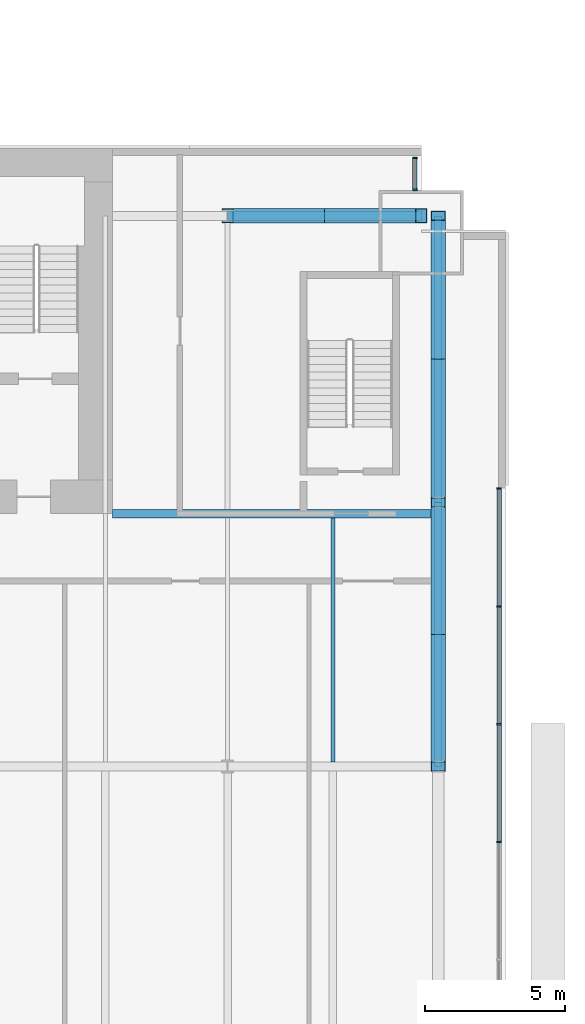
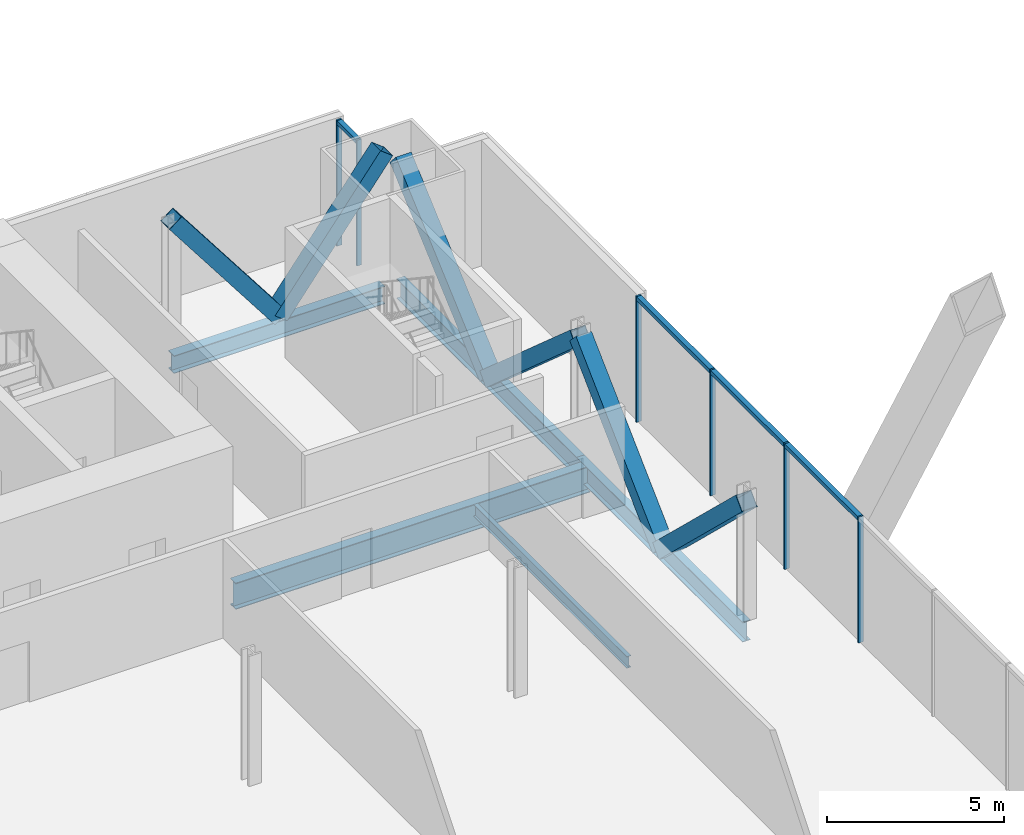
# One storey, part 15 of 23: 16 members, 5 beams, 2 elements without a shape of their own.
"""IFC4 building model written with IfcOpenShell, lengths in metres."""

import ifcopenshell
import ifcopenshell.guid

model = None  # the IFC model being written
_history = None  # IfcOwnerHistory: only IFC2X3 demands one
_inside = {}  # id of a spatial element -> (the spatial element, [elements in it])
_under = {}  # id of a project, library or spatial element -> (it, [spatial elements below it])
_declared = {}  # id of a project -> (the project, [libraries it declares])
_typed = {}  # id of a type object -> (the type object, [elements of that type])
_made_of = {}  # id of a material, layer set ... -> (it, [elements and type objects made of it])


def new_model(schema):
    """Start an empty IFC model of exactly this schema.

    Asked for "IFC4X3", IfcOpenShell would pick the latest addendum, in which some entities
    have other attributes; the version numbers below select the first issue.
    IFC2X3 requires an IfcOwnerHistory on every rooted entity: one is made here for all.
    """
    global model, _history
    if schema == "IFC4X3":
        model = ifcopenshell.file(schema_version=(4, 3, 0, 0))
    else:
        model = ifcopenshell.file(schema=schema)
    _inside.clear()
    _under.clear()
    _declared.clear()
    _typed.clear()
    _made_of.clear()
    _history = None
    if model.schema == "IFC2X3":
        org = make("IfcOrganization", Name="unknown")
        user = make(
            "IfcPersonAndOrganization",
            ThePerson=make("IfcPerson", FamilyName="unknown"),
            TheOrganization=org,
        )
        app = make(
            "IfcApplication",
            ApplicationDeveloper=org,
            Version="unknown",
            ApplicationFullName="unknown",
            ApplicationIdentifier="unknown",
        )
        _history = make(
            "IfcOwnerHistory",
            OwningUser=user,
            OwningApplication=app,
            ChangeAction="ADDED",
            CreationDate=0,
        )
    return model


def make(cls, **values):
    """One entity of the class cls with the attributes given. An attribute that is None is left unset."""
    return model.create_entity(
        cls, **{name: value for name, value in values.items() if value is not None}
    )


def rooted(cls, **values):
    """An entity with a GlobalId (a new one), such as an element, a storey or a relation."""
    return make(cls, GlobalId=ifcopenshell.guid.new(), OwnerHistory=_history, **values)


def si_unit(unit_type, name, prefix=None):
    """IfcSIUnit, for example si_unit("LENGTHUNIT", "METRE", prefix="MILLI")."""
    return make("IfcSIUnit", UnitType=unit_type, Prefix=prefix, Name=name)


def assignment(units):
    """IfcUnitAssignment: the units of a project."""
    return None if units is None else make("IfcUnitAssignment", Units=units)


def point(xyz):
    """IfcCartesianPoint."""
    return None if xyz is None else make("IfcCartesianPoint", Coordinates=xyz)


def direction(xyz):
    """IfcDirection."""
    return None if xyz is None else make("IfcDirection", DirectionRatios=xyz)


def frame(location, z_axis=None, x_axis=None):
    """IfcAxis2Placement3D, a coordinate frame: its origin and axes. An axis left out is left unset."""
    return make(
        "IfcAxis2Placement3D",
        Location=point(location),
        Axis=direction(z_axis),
        RefDirection=direction(x_axis),
    )


def frame_2d(location, x_axis=None):
    """IfcAxis2Placement2D, a coordinate frame in the plane: its origin and x axis."""
    return make(
        "IfcAxis2Placement2D", Location=point(location), RefDirection=direction(x_axis)
    )


def origin():
    """The frame at (0, 0, 0) with its axes left unset."""
    return frame((0.0, 0.0, 0.0))


def origin_2d():
    """The frame at (0, 0) in the plane with its x axis left unset."""
    return frame_2d((0.0, 0.0))


def place(relative_to, where):
    """IfcLocalPlacement: puts the frame where relative to a parent placement (None: the world)."""
    return make(
        "IfcLocalPlacement", PlacementRelTo=relative_to, RelativePlacement=where
    )


def context(
    kind, dimensions, precision=None, world=None, true_north=None, identifier=None
):
    """IfcGeometricRepresentationContext, for example the 3D "Model" context."""
    return make(
        "IfcGeometricRepresentationContext",
        ContextIdentifier=identifier,
        ContextType=kind,
        CoordinateSpaceDimension=dimensions,
        Precision=precision,
        WorldCoordinateSystem=world,
        TrueNorth=true_north,
    )


def subcontext(parent, identifier, kind, view, scale=None):
    """IfcGeometricRepresentationSubContext, for example "Body" below "Model"."""
    return make(
        "IfcGeometricRepresentationSubContext",
        ContextIdentifier=identifier,
        ContextType=kind,
        ParentContext=parent,
        TargetScale=scale,
        TargetView=view,
    )


def project(units=None, contexts=None):
    """IfcProject with its units and contexts."""
    return rooted(
        "IfcProject",
        Name="project",
        RepresentationContexts=contexts,
        UnitsInContext=assignment(units),
    )


def spatial(cls, under=None, at=None, **own):
    """A site, building, storey or space (cls), placed at a placement, below another one or the project."""
    s = rooted(cls, ObjectPlacement=at, **own)
    if under is not None:
        _under.setdefault(under.id(), (under, []))[1].append(s)
    return s


def profile(cls, at=None, kind="AREA", **sizes):
    """A parametric profile (cls). Its sizes go by their IFC names, for example OverallWidth=200.0."""
    return make(cls, ProfileType=kind, Position=at, **sizes)


def rectangle(**sizes):
    """IfcRectangleProfileDef."""
    return profile("IfcRectangleProfileDef", **sizes)


def hollow_rectangle(**sizes):
    """IfcRectangleHollowProfileDef."""
    return profile("IfcRectangleHollowProfileDef", **sizes)


def i_section(**sizes):
    """IfcIShapeProfileDef."""
    return profile("IfcIShapeProfileDef", **sizes)


def extrude(swept, where, along, depth):
    """IfcExtrudedAreaSolid: the profile swept, set in the frame where, extruded along a direction by depth."""
    return make(
        "IfcExtrudedAreaSolid",
        SweptArea=swept,
        Position=where,
        ExtrudedDirection=direction(along),
        Depth=depth,
    )


def shape(context_of_items, identifier, shape_type, items):
    """IfcShapeRepresentation: the items that make up one representation, for example the "Body"."""
    return make(
        "IfcShapeRepresentation",
        ContextOfItems=context_of_items,
        RepresentationIdentifier=identifier,
        RepresentationType=shape_type,
        Items=items,
    )


def material(Name=None, Category=None):
    """IfcMaterial."""
    return make("IfcMaterial", Name=Name, Category=Category)


def material_profile(
    of_material, cross_section, Name=None, Category=None, Priority=None
):
    """IfcMaterialProfile: a cross section and its material."""
    return make(
        "IfcMaterialProfile",
        Name=Name,
        Material=of_material,
        Profile=cross_section,
        Priority=Priority,
        Category=Category,
    )


def profile_set(profiles, Name=None, composite=None):
    """IfcMaterialProfileSet."""
    return make(
        "IfcMaterialProfileSet",
        Name=Name,
        MaterialProfiles=profiles,
        CompositeProfile=composite,
    )


def made_of(thing, what):
    """Note that an element or type object is made of a material, layer set ...; save() writes the relation."""
    if what is not None:
        _made_of.setdefault(what.id(), (what, []))[1].append(thing)
    return thing


def type_object(cls, material=None, **own):
    """A type object (cls), such as IfcWallType, which elements share."""
    return made_of(rooted(cls, **own), material)


def element(
    cls,
    number,
    at=None,
    inside=None,
    cuts=None,
    type_object=None,
    material=None,
    context=None,
    identifier="Body",
    shape_type=None,
    held_by="IfcProductDefinitionShape",
    body=None,
    shapes=None,
    **own,
):
    """One element of the class cls, such as IfcWall. Its Tag is "e" and its number.

    at: its placement. inside: the storey or other place that contains it. cuts: it is an
    opening in that element (IfcRelVoidsElement). A single representation is given by context,
    identifier, shape_type and body (its items); several are given by shapes. held_by: the class
    of the entity that holds the representations. save() writes the other relations.
    """
    e = rooted(cls, Tag="e%d" % number, ObjectPlacement=at, **own)
    if body is not None:
        shapes = [shape(context, identifier, shape_type, body)]
    if shapes is not None:
        e.Representation = make(held_by, Representations=shapes)
    if inside is not None:
        _inside.setdefault(inside.id(), (inside, []))[1].append(e)
    if cuts is not None:
        rooted(
            "IfcRelVoidsElement", RelatingBuildingElement=cuts, RelatedOpeningElement=e
        )
    if type_object is not None:
        _typed.setdefault(type_object.id(), (type_object, []))[1].append(e)
    return made_of(e, material)


def aggregate(whole, parts):
    """IfcRelAggregates: a whole, such as a stair, and the parts it consists of."""
    return rooted("IfcRelAggregates", RelatingObject=whole, RelatedObjects=parts)


def save(model, path):
    """Write the relations noted so far, then the file.

    IfcRelAggregates (storeys below a building ...), IfcRelContainedInSpatialStructure (elements
    in a storey), IfcRelDefinesByType, IfcRelAssociatesMaterial and IfcRelDeclares: one each for
    every whole, place, type object, material and project.
    """
    for whole, parts in _under.values():
        aggregate(whole, parts)
    for where, things in _inside.values():
        rooted(
            "IfcRelContainedInSpatialStructure",
            RelatedElements=things,
            RelatingStructure=where,
        )
    for kind, things in _typed.values():
        rooted("IfcRelDefinesByType", RelatedObjects=things, RelatingType=kind)
    for what, things in _made_of.values():
        rooted("IfcRelAssociatesMaterial", RelatedObjects=things, RelatingMaterial=what)
    for by, libraries in _declared.values():
        rooted("IfcRelDeclares", RelatingContext=by, RelatedDefinitions=libraries)
    model.write(path)


model = new_model("IFC4")

# Units and contexts
model_context = context("Model", 3, precision=1e-05, world=origin(), true_north=direction((0.0, 1.0)))
body_context = subcontext(model_context, "Body", "Model", "MODEL_VIEW")
ifc_project = project(units=[si_unit("LENGTHUNIT", "METRE"), si_unit("AREAUNIT", "SQUARE_METRE"), si_unit("VOLUMEUNIT", "CUBIC_METRE"), si_unit("PLANEANGLEUNIT", "RADIAN"), si_unit("MASSUNIT", "GRAM", prefix="KILO")], contexts=[model_context])

# Site, building, storey
site_placement = place(None, origin())
site = spatial("IfcSite", under=ifc_project, at=site_placement, CompositionType="ELEMENT")
building_placement = place(site_placement, origin())
building = spatial("IfcBuilding", under=site, at=building_placement, Name="Bicima Exchange Tower", CompositionType="ELEMENT")
storey_placement = place(building_placement, frame((0.0, 0.0, 62.0)))
storey = spatial("IfcBuildingStorey", under=building, at=storey_placement, Name="L12", CompositionType="ELEMENT", Elevation=62.0)

# Beam
ifc_material_1 = material(Name="Steel ASTM A992 Gr 50", Category="steel")
ifc_material_profile_1 = material_profile(ifc_material_1, i_section(OverallWidth=0.3046875, OverallDepth=0.911865234375, WebThickness=0.015869140625, FlangeThickness=0.02392578125, at=origin_2d()))
ifc_profile_set_1 = profile_set([ifc_material_profile_1], Name="Steel ASTM A992 Gr 50")
beam_type_1 = type_object("IfcBeamType", Name="Core-line girder W36x150", PredefinedType="BEAM", material=ifc_profile_set_1)
beam_1_placement = place(storey_placement, frame((22.0, -13.0, -0.60595703125), z_axis=(1.0, 0.0, 0.0), x_axis=(0.0, 1.0, 0.0)))
element("IfcBeam", 1, at=beam_1_placement, inside=storey, type_object=beam_type_1, Name="Core-line girder", PredefinedType="BEAM", context=body_context, shape_type="SweptSolid", body=[
    extrude(i_section(OverallWidth=0.3046875, OverallDepth=0.911865234375, WebThickness=0.015869140625, FlangeThickness=0.02392578125, at=origin_2d()), origin(), (0.0, 0.0, 1.0), 11.60009765625),
])

# Curtain wall, members
ifc_material_2 = material(Name="Anodised bronze aluminium", Category="aluminium")
curtain_wall_type_1 = type_object("IfcCurtainWallType", Name="End face glass wall", PredefinedType="NOTDEFINED", material=ifc_material_2)
curtain_wall_1_placement = place(storey_placement, origin())
curtain_wall_1 = element("IfcCurtainWall", 2, at=curtain_wall_1_placement, inside=storey, type_object=curtain_wall_type_1, Name="End face glass wall L12 run 19", PredefinedType="NOTDEFINED")
ifc_material_profile_2 = material_profile(ifc_material_2, rectangle(XDim=0.159912109375, YDim=0.06005859375, at=origin_2d()))
ifc_profile_set_2 = profile_set([ifc_material_profile_2], Name="Anodised bronze aluminium")
member_type_1 = type_object("IfcMemberType", Name="End face glass wall mullion 60 x 160", PredefinedType="MULLION", material=ifc_profile_set_2)
member_1_placement = place(storey_placement, frame((35.77001953125, -24.693115234375, 0.0), z_axis=(0.0, 0.0, 1.0), x_axis=(-1.0, 0.0, 0.0)))
member_1 = element("IfcMember", 3, at=member_1_placement, type_object=member_type_1, Name="End face glass wall mullion 4", PredefinedType="MULLION", context=body_context, shape_type="SweptSolid", body=[
    extrude(rectangle(XDim=0.159912109375, YDim=0.06005859375, at=origin_2d()), origin(), (0.0, 0.0, 1.0), 4.35009765625),
])
member_2_placement = place(storey_placement, frame((35.77001953125, -20.498779296875, 0.0), z_axis=(0.0, 0.0, 1.0), x_axis=(-1.0, 0.0, 0.0)))
member_2 = element("IfcMember", 4, at=member_2_placement, type_object=member_type_1, Name="End face glass wall mullion 5", PredefinedType="MULLION", context=body_context, shape_type="SweptSolid", body=[
    extrude(rectangle(XDim=0.159912109375, YDim=0.06005859375, at=origin_2d()), origin(), (0.0, 0.0, 1.0), 4.35009765625),
])
member_3_placement = place(storey_placement, frame((35.77001953125, -16.30419921875, 0.0), z_axis=(0.0, 0.0, 1.0), x_axis=(-1.0, 0.0, 0.0)))
member_3 = element("IfcMember", 5, at=member_3_placement, type_object=member_type_1, Name="End face glass wall mullion 6", PredefinedType="MULLION", context=body_context, shape_type="SweptSolid", body=[
    extrude(rectangle(XDim=0.159912109375, YDim=0.06005859375, at=origin_2d()), origin(), (0.0, 0.0, 1.0), 4.35009765625),
])
member_4_placement = place(storey_placement, frame((35.77001953125, -12.110107421875, 0.0), z_axis=(0.0, 0.0, 1.0), x_axis=(-1.0, 0.0, 0.0)))
member_4 = element("IfcMember", 6, at=member_4_placement, type_object=member_type_1, Name="End face glass wall mullion 7", PredefinedType="MULLION", context=body_context, shape_type="SweptSolid", body=[
    extrude(rectangle(XDim=0.159912109375, YDim=0.06005859375, at=origin_2d()), origin(), (0.0, 0.0, 1.0), 4.35009765625),
])
ifc_material_profile_3 = material_profile(ifc_material_2, rectangle(XDim=0.159912109375, YDim=0.139892578125, at=origin_2d()))
ifc_profile_set_3 = profile_set([ifc_material_profile_3], Name="Anodised bronze aluminium")
member_type_2 = type_object("IfcMemberType", Name="End face glass wall transom 140 x 160", PredefinedType="USERDEFINED", material=ifc_profile_set_3)
member_5_placement = place(storey_placement, frame((35.77001953125, -24.6630859375, 4.280029296875), z_axis=(0.0, 1.0, 0.0), x_axis=(-1.0, 0.0, 0.0)))
member_5 = element("IfcMember", 7, at=member_5_placement, type_object=member_type_2, Name="End face glass wall transom 4.1", ObjectType="TRANSOM", PredefinedType="USERDEFINED", context=body_context, shape_type="SweptSolid", body=[
    extrude(rectangle(XDim=0.159912109375, YDim=0.139892578125, at=origin_2d()), origin(), (0.0, 0.0, 1.0), 4.13427734375),
])
member_6_placement = place(storey_placement, frame((35.77001953125, -20.46875, 4.280029296875), z_axis=(0.0, 1.0, 0.0), x_axis=(-1.0, 0.0, 0.0)))
member_6 = element("IfcMember", 8, at=member_6_placement, type_object=member_type_2, Name="End face glass wall transom 5.1", ObjectType="TRANSOM", PredefinedType="USERDEFINED", context=body_context, shape_type="SweptSolid", body=[
    extrude(rectangle(XDim=0.159912109375, YDim=0.139892578125, at=origin_2d()), origin(), (0.0, 0.0, 1.0), 4.134521484375),
])
member_7_placement = place(storey_placement, frame((35.77001953125, -16.2744140625, 4.280029296875), z_axis=(0.0, 1.0, 0.0), x_axis=(-1.0, 0.0, 0.0)))
member_7 = element("IfcMember", 9, at=member_7_placement, type_object=member_type_2, Name="End face glass wall transom 6.1", ObjectType="TRANSOM", PredefinedType="USERDEFINED", context=body_context, shape_type="SweptSolid", body=[
    extrude(rectangle(XDim=0.159912109375, YDim=0.139892578125, at=origin_2d()), origin(), (0.0, 0.0, 1.0), 4.134521484375),
])
aggregate(curtain_wall_1, [member_1, member_2, member_3, member_4, member_5, member_6, member_7])

# Beams
ifc_material_profile_4 = material_profile(ifc_material_1, i_section(OverallWidth=0.256591796875, OverallDepth=0.693359375, WebThickness=0.014404296875, FlangeThickness=0.023681640625, at=origin_2d()))
ifc_profile_set_4 = profile_set([ifc_material_profile_4], Name="Steel ASTM A992 Gr 50")
beam_type_2 = type_object("IfcBeamType", Name="End girder W27x114", PredefinedType="BEAM", material=ifc_profile_set_4)
beam_2_placement = place(storey_placement, frame((33.60009765625, -2.39990234375, -0.49658203125), z_axis=(0.0, -1.0, 0.0), x_axis=(1.0, 0.0, 0.0)))
element("IfcBeam", 10, at=beam_2_placement, inside=storey, type_object=beam_type_2, Name="End girder", PredefinedType="BEAM", context=body_context, shape_type="SweptSolid", body=[
    extrude(i_section(OverallWidth=0.256591796875, OverallDepth=0.693359375, WebThickness=0.014404296875, FlangeThickness=0.023681640625, at=origin_2d()), origin(), (0.0, 0.0, 1.0), 10.2001953125),
])
beam_3_placement = place(storey_placement, frame((33.60009765625, -12.60009765625, -0.49658203125), z_axis=(0.0, -1.0, 0.0), x_axis=(1.0, 0.0, 0.0)))
element("IfcBeam", 11, at=beam_3_placement, inside=storey, type_object=beam_type_2, Name="End girder", PredefinedType="BEAM", context=body_context, shape_type="SweptSolid", body=[
    extrude(i_section(OverallWidth=0.256591796875, OverallDepth=0.693359375, WebThickness=0.014404296875, FlangeThickness=0.023681640625, at=origin_2d()), origin(), (0.0, 0.0, 1.0), 9.39990234375),
])
ifc_material_profile_5 = material_profile(ifc_material_1, i_section(OverallWidth=0.140380859375, OverallDepth=0.40380859375, WebThickness=0.007080078125, FlangeThickness=0.01123046875, at=origin_2d()))
ifc_profile_set_5 = profile_set([ifc_material_profile_5], Name="Steel ASTM A992 Gr 50")
beam_type_3 = type_object("IfcBeamType", Name="Floor beam W16x31", PredefinedType="JOIST", material=ifc_profile_set_5)
beam_4_placement = place(storey_placement, frame((29.85009765625, -13.15234375, -0.351806640625), z_axis=(0.0, -1.0, 0.0), x_axis=(1.0, 0.0, 0.0)))
element("IfcBeam", 12, at=beam_4_placement, inside=storey, type_object=beam_type_3, Name="Floor beam", PredefinedType="JOIST", context=body_context, shape_type="SweptSolid", body=[
    extrude(i_section(OverallWidth=0.140380859375, OverallDepth=0.40380859375, WebThickness=0.007080078125, FlangeThickness=0.01123046875, at=origin_2d()), origin(), (0.0, 0.0, 1.0), 8.68505859375),
])

# Curtain wall, members
curtain_wall_type_2 = type_object("IfcCurtainWallType", Name="Front glass wall", PredefinedType="NOTDEFINED", material=ifc_material_2)
curtain_wall_2_placement = place(storey_placement, origin())
curtain_wall_2 = element("IfcCurtainWall", 13, at=curtain_wall_2_placement, inside=storey, type_object=curtain_wall_type_2, Name="Front glass wall L12 run 20", PredefinedType="NOTDEFINED")
member_type_3 = type_object("IfcMemberType", Name="Front glass wall mullion 60 x 160", PredefinedType="MULLION", material=ifc_profile_set_2)
member_8_placement = place(storey_placement, frame((32.77001953125, -1.469970703125, 0.0), z_axis=(0.0, 0.0, 1.0), x_axis=(-1.0, 0.0, 0.0)))
member_8 = element("IfcMember", 14, at=member_8_placement, type_object=member_type_3, Name="Front glass wall mullion 1", PredefinedType="MULLION", context=body_context, shape_type="SweptSolid", body=[
    extrude(rectangle(XDim=0.159912109375, YDim=0.06005859375, at=origin_2d()), origin(), (0.0, 0.0, 1.0), 4.35009765625),
])
member_9_placement = place(storey_placement, frame((32.77001953125, -0.340087890625, 0.0), z_axis=(0.0, 0.0, 1.0), x_axis=(-1.0, 0.0, 0.0)))
member_9 = element("IfcMember", 15, at=member_9_placement, type_object=member_type_3, Name="Front glass wall mullion 2", PredefinedType="MULLION", context=body_context, shape_type="SweptSolid", body=[
    extrude(rectangle(XDim=0.159912109375, YDim=0.06005859375, at=origin_2d()), origin(), (0.0, 0.0, 1.0), 4.35009765625),
])
member_type_4 = type_object("IfcMemberType", Name="Front glass wall transom 140 x 160", PredefinedType="USERDEFINED", material=ifc_profile_set_3)
member_10_placement = place(storey_placement, frame((32.77001953125, -1.43994140625, 4.280029296875), z_axis=(0.0, 1.0, 0.0), x_axis=(-1.0, 0.0, 0.0)))
member_10 = element("IfcMember", 16, at=member_10_placement, type_object=member_type_4, Name="Front glass wall transom 1.1", ObjectType="TRANSOM", PredefinedType="USERDEFINED", context=body_context, shape_type="SweptSolid", body=[
    extrude(rectangle(XDim=0.159912109375, YDim=0.139892578125, at=origin_2d()), origin(), (0.0, 0.0, 1.0), 1.06982421875),
])
aggregate(curtain_wall_2, [member_8, member_9, member_10])

# Members
ifc_material_3 = material(Name="Steel ASTM A572 Gr 50", Category="steel")
ifc_material_profile_6 = material_profile(ifc_material_3, hollow_rectangle(XDim=0.508056640625, YDim=0.508056640625, WallThickness=0.017822265625, at=origin_2d()))
ifc_profile_set_6 = profile_set([ifc_material_profile_6], Name="Steel ASTM A572 Gr 50")
member_type_5 = type_object("IfcMemberType", Name="Mega brace HSS20x20x3/4", PredefinedType="BRACE", material=ifc_profile_set_6)
for number, where, z_axis, x_axis, name in (
    (17, (29.550048828125, -2.39990234375, 0.0), (0.608426120198, 0.0, 0.793610519248), (0.0, 1.0, 0.0), "Mega brace rear"),
    (18, (29.550048828125, -2.39990234375, 0.0), (-0.608426120198, 0.0, 0.793610519248), (0.0, -1.0, 0.0), "Mega brace rear"),
):
    element("IfcMember", number, at=place(storey_placement, frame(where, z_axis=z_axis, x_axis=x_axis)), inside=storey, type_object=member_type_5, Name=name, PredefinedType="BRACE", context=body_context, shape_type="SweptSolid", body=[
        extrude(hollow_rectangle(XDim=0.508056640625, YDim=0.508056640625, WallThickness=0.017822265625, at=origin_2d()), origin(), (0.0, 0.0, 1.0), 5.670166015625),
    ])
for number, where, z_axis, x_axis, name in (
    (19, (33.60009765625, -7.5, -0.49658203125), (0.0, -0.749844140428, 0.661614513948), (1.0, 0.0, 0.0), "Mega brace east end"),
    (20, (33.60009765625, -7.5, -0.49658203125), (0.0, 0.749844140428, 0.661614513948), (-1.0, 0.0, 0.0), "Mega brace east end"),
):
    element("IfcMember", number, at=place(storey_placement, frame(where, z_axis=z_axis, x_axis=x_axis)), inside=storey, type_object=member_type_5, Name=name, PredefinedType="BRACE", context=body_context, shape_type="SweptSolid", body=[
        extrude(hollow_rectangle(XDim=0.508056640625, YDim=0.508056640625, WallThickness=0.017822265625, at=origin_2d()), origin(), (0.0, 0.0, 1.0), 6.801513671875),
    ])
for number, where, z_axis, x_axis, name in (
    (21, (33.60009765625, -17.300048828125, -0.49658203125), (0.0, -0.722304421208, 0.691575247608), (1.0, 0.0, 0.0), "Mega brace east end"),
    (22, (33.60009765625, -17.300048828125, -0.49658203125), (0.0, 0.722304421208, 0.691575247608), (-1.0, 0.0, 0.0), "Mega brace east end"),
):
    element("IfcMember", number, at=place(storey_placement, frame(where, z_axis=z_axis, x_axis=x_axis)), inside=storey, type_object=member_type_5, Name=name, PredefinedType="BRACE", context=body_context, shape_type="SweptSolid", body=[
        extrude(hollow_rectangle(XDim=0.508056640625, YDim=0.508056640625, WallThickness=0.017822265625, at=origin_2d()), origin(), (0.0, 0.0, 1.0), 6.5068359375),
    ])

# Beam
ifc_material_profile_7 = material_profile(ifc_material_1, i_section(OverallWidth=0.3251953125, OverallDepth=0.612060546875, WebThickness=0.0126953125, FlangeThickness=0.01904296875, at=origin_2d()))
ifc_profile_set_7 = profile_set([ifc_material_profile_7], Name="Steel ASTM A992 Gr 50")
beam_type_4 = type_object("IfcBeamType", Name="Rear girder W24x104", PredefinedType="BEAM", material=ifc_profile_set_7)
beam_5_placement = place(storey_placement, frame((26.10009765625, -2.39990234375, -0.4560546875), z_axis=(1.0, 0.0, 0.0), x_axis=(0.0, 1.0, 0.0)))
element("IfcBeam", 23, at=beam_5_placement, inside=storey, type_object=beam_type_4, Name="Rear girder", PredefinedType="BEAM", context=body_context, shape_type="SweptSolid", body=[
    extrude(i_section(OverallWidth=0.3251953125, OverallDepth=0.612060546875, WebThickness=0.0126953125, FlangeThickness=0.01904296875, at=origin_2d()), origin(), (0.0, 0.0, 1.0), 6.89990234375),
])

save(model, "model.ifc")
